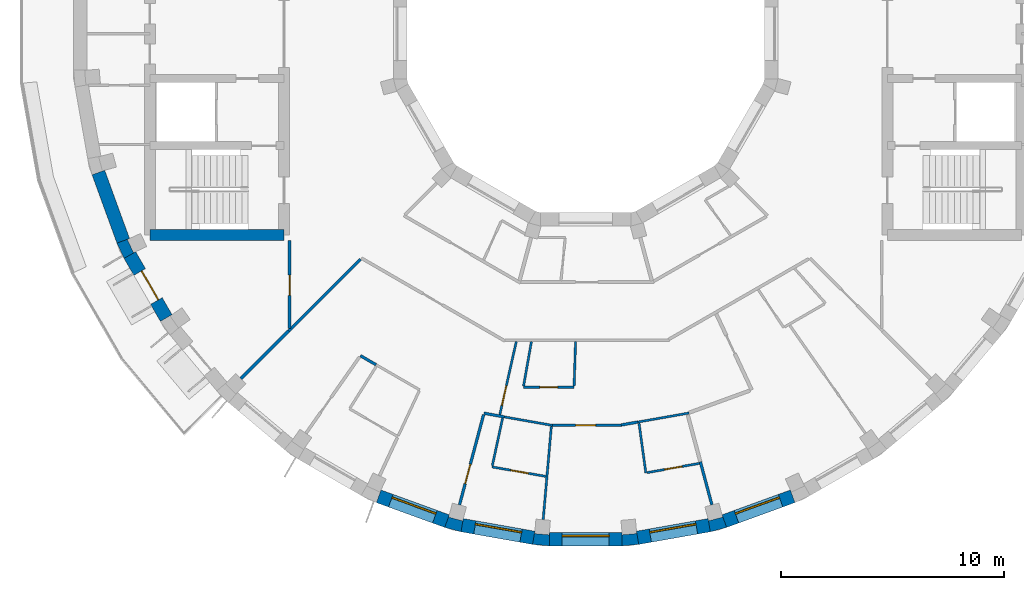
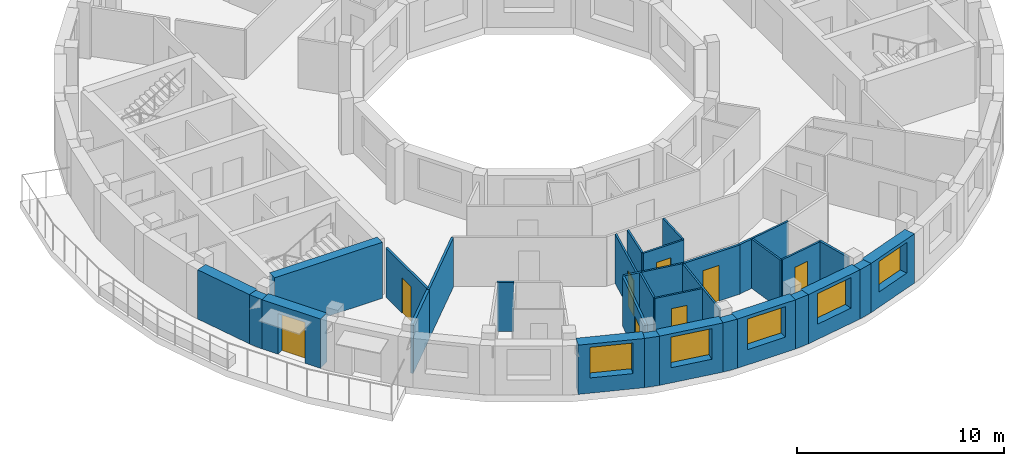
# One storey, part 2 of 10: 33 walls, 8 doors, 5 windows, 13 openings.
"""IFC4 building model written with IfcOpenShell, lengths in metres."""

from ifc_helpers import new_model, si_unit, direction, frame, frame_2d, origin, place, context, subcontext, project, spatial, polyline, rectangle, outline, extrude, material, layer, layer_set, type_object, element, fill, save


model = new_model("IFC4")

# Units and contexts
model_context = context("Model", 3, precision=1e-05, world=origin(), true_north=direction((0.0, 1.0)))
body_context = subcontext(model_context, "Body", "Model", "MODEL_VIEW")
ifc_project = project(units=[si_unit("LENGTHUNIT", "METRE"), si_unit("AREAUNIT", "SQUARE_METRE"), si_unit("VOLUMEUNIT", "CUBIC_METRE"), si_unit("PLANEANGLEUNIT", "RADIAN"), si_unit("MASSUNIT", "GRAM", prefix="KILO")], contexts=[model_context])

# Site, building, storey
site_placement = place(None, origin())
site = spatial("IfcSite", under=ifc_project, at=site_placement, CompositionType="ELEMENT")
building_placement = place(site_placement, origin())
building = spatial("IfcBuilding", under=site, at=building_placement, Name="Saqina Gate Tower", CompositionType="ELEMENT")
storey_placement = place(building_placement, frame((0.0, 0.0, 256.10009765625)))
storey = spatial("IfcBuildingStorey", under=building, at=storey_placement, Name="L73", CompositionType="ELEMENT", Elevation=256.10009765625)

# Walls
ifc_material_1 = material(Name="Brick masonry (buff)", Category="masonry")
wall_type_1 = type_object("IfcWallType", Name="BRICK PIER COPING BUFF", PredefinedType="SOLIDWALL", material=ifc_material_1)
wall_1_placement = place(storey_placement, origin())
element("IfcWall", 1, at=wall_1_placement, inside=storey, type_object=wall_type_1, Name="Pier cap L73 column 21", PredefinedType="SOLIDWALL", context=body_context, shape_type="SweptSolid", body=[
    extrude(outline(polyline([(-20.974609375, -9.3642578125), (-20.65576171875, -10.048095703125), (-20.135986328125, -9.748291015625), (-20.23193359375, -9.79296875), (-20.506591796875, -9.203857421875), (-20.410888671875, -9.1591796875), (-20.974609375, -9.3642578125)])), origin(), (0.0, 0.0, 1.0), 2.89990234375),
])
wall_2_placement = place(storey_placement, origin())
element("IfcWall", 2, at=wall_2_placement, inside=storey, type_object=wall_type_1, Name="Pier cap L73 column 26", PredefinedType="SOLIDWALL", context=body_context, shape_type="SweptSolid", body=[
    extrude(outline(polyline([(-5.579833984375, -22.281982421875), (-5.4755859375, -21.691162109375), (-5.5029296875, -21.793212890625), (-6.130859375, -21.625), (-6.103515625, -21.52294921875), (-6.30859375, -22.0869140625), (-5.579833984375, -22.281982421875)])), origin(), (0.0, 0.0, 1.0), 2.89990234375),
])
wall_3_placement = place(storey_placement, origin())
element("IfcWall", 3, at=wall_3_placement, inside=storey, type_object=wall_type_1, Name="Pier cap L73 column 27", PredefinedType="SOLIDWALL", context=body_context, shape_type="SweptSolid", body=[
    extrude(outline(polyline([(-2.377685546875, -22.8466796875), (-1.625732421875, -22.91259765625), (-1.625732421875, -22.3125), (-1.635009765625, -22.417724609375), (-2.28271484375, -22.361083984375), (-2.2734375, -22.255859375), (-2.377685546875, -22.8466796875)])), origin(), (0.0, 0.0, 1.0), 2.89990234375),
])
wall_4_placement = place(storey_placement, origin())
element("IfcWall", 4, at=wall_4_placement, inside=storey, type_object=wall_type_1, Name="Pier cap L73 column 28", PredefinedType="SOLIDWALL", context=body_context, shape_type="SweptSolid", body=[
    extrude(outline(polyline([(1.625732421875, -22.91259765625), (2.377685546875, -22.8466796875), (2.2734375, -22.255859375), (2.28271484375, -22.361083984375), (1.635009765625, -22.417724609375), (1.625732421875, -22.3125), (1.625732421875, -22.91259765625)])), origin(), (0.0, 0.0, 1.0), 2.89990234375),
])
wall_5_placement = place(storey_placement, origin())
element("IfcWall", 5, at=wall_5_placement, inside=storey, type_object=wall_type_1, Name="Pier cap L73 column 29", PredefinedType="SOLIDWALL", context=body_context, shape_type="SweptSolid", body=[
    extrude(outline(polyline([(6.30859375, -22.0869140625), (6.103515625, -21.52294921875), (6.130859375, -21.625), (5.5029296875, -21.793212890625), (5.4755859375, -21.691162109375), (5.579833984375, -22.281982421875), (6.30859375, -22.0869140625)])), origin(), (0.0, 0.0, 1.0), 2.89990234375),
])

# Wall, opening, door
ifc_material_2 = material(Name="Brick masonry (buff)", Category="masonry")
ifc_layer_1 = layer(ifc_material_2, 0.60009765625)
ifc_layer_set_1 = layer_set([ifc_layer_1], Name="FW-BRICK-BUFF")
wall_type_2 = type_object("IfcWallType", Name="FW-BRICK-BUFF", PredefinedType="SOLIDWALL", material=ifc_layer_set_1)
wall_6_placement = place(storey_placement, frame((-20.39599609375, -9.898193359375, 0.0), z_axis=(0.0, 0.0, 1.0), x_axis=(0.500014901547, -0.866016800201, 0.0)))
wall_6 = element("IfcWall", 6, at=wall_6_placement, inside=storey, type_object=wall_type_2, Name="Facade wall L73 facet 21", PredefinedType="SOLIDWALL", context=body_context, shape_type="SweptSolid", body=[
    extrude(rectangle(XDim=3.251953125, YDim=0.60009765625, at=frame_2d((1.6259765625, 0.0))), origin(), (0.0, 0.0, 1.0), 2.89990234375),
])
opening_1_placement = place(wall_6_placement, frame((0.875732421875, 0.0, 0.0)))
opening_1 = element("IfcOpeningElement", 7, at=opening_1_placement, cuts=wall_6, Name="Opening G21-D80", PredefinedType="OPENING", context=body_context, shape_type="SweptSolid", body=[
    extrude(rectangle(XDim=1.5, YDim=2.39990234375, at=frame_2d((0.75, 1.199951171875))), frame((0.0, 0.31201171875, 0.0), z_axis=(0.0, -1.0, 0.0), x_axis=(1.0, 0.0, 0.0)), (0.0, 0.0, 1.0), 0.6240234375),
])
ifc_material_3 = material(Name="Aluminium glazing", Category="aluminium")
door_type_1 = type_object("IfcDoorType", Name="GD-D", OperationType="DOUBLE_DOOR_SINGLE_SWING", PredefinedType="DOOR", material=ifc_material_3)
door_1_placement = place(opening_1_placement, frame((1.5, 0.0, 0.0), z_axis=(0.0, 0.0, 1.0), x_axis=(-1.0, 0.0, 0.0)))
door_1 = element("IfcDoor", 8, at=door_1_placement, inside=storey, type_object=door_type_1, Name="Terrace door L73 facet 21", OperationType="DOUBLE_DOOR_SINGLE_SWING", OverallHeight=2.39990234375, OverallWidth=1.5, PredefinedType="DOOR", context=body_context, shape_type="SweptSolid", body=[
    extrude(rectangle(XDim=1.5, YDim=2.39990234375, at=frame_2d((0.75, 1.199951171875))), frame((0.0, -0.0751953125, 0.0), z_axis=(0.0, -1.0, 0.0), x_axis=(1.0, 0.0, 0.0)), (0.0, 0.0, 1.0), 0.050048828125),
])
fill(opening_1, door_1)

# Wall, opening, window
wall_7_placement = place(storey_placement, frame((-9.26171875, -20.692626953125, 0.0), z_axis=(0.0, 0.0, 1.0), x_axis=(0.939679383794, -0.342056509473, 0.0)))
wall_7 = element("IfcWall", 9, at=wall_7_placement, inside=storey, type_object=wall_type_2, Name="Facade wall L73 facet 25", PredefinedType="SOLIDWALL", context=body_context, shape_type="SweptSolid", body=[
    extrude(rectangle(XDim=3.251708984375, YDim=0.60009765625, at=frame_2d((1.6259765625, 0.0))), origin(), (0.0, 0.0, 1.0), 2.89990234375),
])
opening_2_placement = place(wall_7_placement, frame((0.57568359375, 0.0, 0.89990234375)))
opening_2 = element("IfcOpeningElement", 10, at=opening_2_placement, cuts=wall_7, Name="Opening G21-W16", PredefinedType="OPENING", context=body_context, shape_type="SweptSolid", body=[
    extrude(rectangle(XDim=2.10009765625, YDim=1.800048828125, at=frame_2d((1.050048828125, 0.89990234375))), frame((0.0, 0.31201171875, 0.0), z_axis=(0.0, -1.0, 0.0), x_axis=(1.0, 0.0, 0.0)), (0.0, 0.0, 1.0), 0.6240234375),
])
ifc_material_4 = material(Name="Aluminium glazing", Category="aluminium")
window_type = type_object("IfcWindowType", Name="WN-D", PartitioningType="SINGLE_PANEL", PredefinedType="WINDOW", material=ifc_material_4)
window_1_placement = place(opening_2_placement, origin())
window_1 = element("IfcWindow", 11, at=window_1_placement, inside=storey, type_object=window_type, Name="Window L73 facet 25", OverallHeight=1.800048828125, OverallWidth=2.10009765625, PartitioningType="SINGLE_PANEL", PredefinedType="WINDOW", context=body_context, shape_type="SweptSolid", body=[
    extrude(rectangle(XDim=2.10009765625, YDim=1.800048828125, at=frame_2d((1.050048828125, 0.89990234375))), frame((0.0, 0.179931640625, 0.0), z_axis=(0.0, -1.0, 0.0), x_axis=(1.0, 0.0, 0.0)), (0.0, 0.0, 1.0), 0.06005859375),
])
fill(opening_2, window_1)

wall_8_placement = place(storey_placement, frame((-5.52783203125, -21.986572265625, 0.0), z_axis=(0.0, 0.0, 1.0), x_axis=(0.984806225186, -0.173656842178, 0.0)))
wall_8 = element("IfcWall", 12, at=wall_8_placement, inside=storey, type_object=wall_type_2, Name="Facade wall L73 facet 26", PredefinedType="SOLIDWALL", context=body_context, shape_type="SweptSolid", body=[
    extrude(rectangle(XDim=3.251708984375, YDim=0.60009765625, at=frame_2d((1.6259765625, 0.0))), origin(), (0.0, 0.0, 1.0), 2.89990234375),
])
opening_3_placement = place(wall_8_placement, frame((0.57568359375, 0.0, 0.89990234375)))
opening_3 = element("IfcOpeningElement", 13, at=opening_3_placement, cuts=wall_8, Name="Opening G21-W17", PredefinedType="OPENING", context=body_context, shape_type="SweptSolid", body=[
    extrude(rectangle(XDim=2.10009765625, YDim=1.800048828125, at=frame_2d((1.050048828125, 0.89990234375))), frame((0.0, 0.31201171875, 0.0), z_axis=(0.0, -1.0, 0.0), x_axis=(1.0, 0.0, 0.0)), (0.0, 0.0, 1.0), 0.6240234375),
])
window_2_placement = place(opening_3_placement, origin())
window_2 = element("IfcWindow", 14, at=window_2_placement, inside=storey, type_object=window_type, Name="Window L73 facet 26", OverallHeight=1.800048828125, OverallWidth=2.10009765625, PartitioningType="SINGLE_PANEL", PredefinedType="WINDOW", context=body_context, shape_type="SweptSolid", body=[
    extrude(rectangle(XDim=2.10009765625, YDim=1.800048828125, at=frame_2d((1.050048828125, 0.89990234375))), frame((0.0, 0.179931640625, 0.0), z_axis=(0.0, -1.0, 0.0), x_axis=(1.0, 0.0, 0.0)), (0.0, 0.0, 1.0), 0.06005859375),
])
fill(opening_3, window_2)

wall_9_placement = place(storey_placement, frame((-1.625732421875, -22.612548828125, 0.0), z_axis=(0.0, 0.0, 1.0), x_axis=(1.0, 0.0, 0.0)))
wall_9 = element("IfcWall", 15, at=wall_9_placement, inside=storey, type_object=wall_type_2, Name="Facade wall L73 facet 27", PredefinedType="SOLIDWALL", context=body_context, shape_type="SweptSolid", body=[
    extrude(rectangle(XDim=3.25146484375, YDim=0.60009765625, at=frame_2d((1.625732421875, 0.0))), origin(), (0.0, 0.0, 1.0), 2.89990234375),
])
opening_4_placement = place(wall_9_placement, frame((0.57568359375, 0.0, 0.89990234375)))
opening_4 = element("IfcOpeningElement", 16, at=opening_4_placement, cuts=wall_9, Name="Opening G21-W18", PredefinedType="OPENING", context=body_context, shape_type="SweptSolid", body=[
    extrude(rectangle(XDim=2.10009765625, YDim=1.800048828125, at=frame_2d((1.050048828125, 0.89990234375))), frame((0.0, 0.31201171875, 0.0), z_axis=(0.0, -1.0, 0.0), x_axis=(1.0, 0.0, 0.0)), (0.0, 0.0, 1.0), 0.6240234375),
])
window_3_placement = place(opening_4_placement, origin())
window_3 = element("IfcWindow", 17, at=window_3_placement, inside=storey, type_object=window_type, Name="Window L73 facet 27", OverallHeight=1.800048828125, OverallWidth=2.10009765625, PartitioningType="SINGLE_PANEL", PredefinedType="WINDOW", context=body_context, shape_type="SweptSolid", body=[
    extrude(rectangle(XDim=2.10009765625, YDim=1.800048828125, at=frame_2d((1.050048828125, 0.89990234375))), frame((0.0, 0.179931640625, 0.0), z_axis=(0.0, -1.0, 0.0), x_axis=(1.0, 0.0, 0.0)), (0.0, 0.0, 1.0), 0.06005859375),
])
fill(opening_4, window_3)

wall_10_placement = place(storey_placement, frame((2.325439453125, -22.55126953125, 0.0), z_axis=(0.0, 0.0, 1.0), x_axis=(0.984806225186, 0.173656842178, 0.0)))
wall_10 = element("IfcWall", 18, at=wall_10_placement, inside=storey, type_object=wall_type_2, Name="Facade wall L73 facet 28", PredefinedType="SOLIDWALL", context=body_context, shape_type="SweptSolid", body=[
    extrude(rectangle(XDim=3.251708984375, YDim=0.60009765625, at=frame_2d((1.6259765625, 0.0))), origin(), (0.0, 0.0, 1.0), 2.89990234375),
])
opening_5_placement = place(wall_10_placement, frame((0.57568359375, 0.0, 0.89990234375)))
opening_5 = element("IfcOpeningElement", 19, at=opening_5_placement, cuts=wall_10, Name="Opening G21-W19", PredefinedType="OPENING", context=body_context, shape_type="SweptSolid", body=[
    extrude(rectangle(XDim=2.10009765625, YDim=1.800048828125, at=frame_2d((1.050048828125, 0.89990234375))), frame((0.0, 0.31201171875, 0.0), z_axis=(0.0, -1.0, 0.0), x_axis=(1.0, 0.0, 0.0)), (0.0, 0.0, 1.0), 0.6240234375),
])
window_4_placement = place(opening_5_placement, origin())
window_4 = element("IfcWindow", 20, at=window_4_placement, inside=storey, type_object=window_type, Name="Window L73 facet 28", OverallHeight=1.800048828125, OverallWidth=2.10009765625, PartitioningType="SINGLE_PANEL", PredefinedType="WINDOW", context=body_context, shape_type="SweptSolid", body=[
    extrude(rectangle(XDim=2.10009765625, YDim=1.800048828125, at=frame_2d((1.050048828125, 0.89990234375))), frame((0.0, 0.179931640625, 0.0), z_axis=(0.0, -1.0, 0.0), x_axis=(1.0, 0.0, 0.0)), (0.0, 0.0, 1.0), 0.06005859375),
])
fill(opening_5, window_4)

wall_11_placement = place(storey_placement, frame((6.2060546875, -21.804931640625, 0.0), z_axis=(0.0, 0.0, 1.0), x_axis=(0.939679383794, 0.342056509473, 0.0)))
wall_11 = element("IfcWall", 21, at=wall_11_placement, inside=storey, type_object=wall_type_2, Name="Facade wall L73 facet 29", PredefinedType="SOLIDWALL", context=body_context, shape_type="SweptSolid", body=[
    extrude(rectangle(XDim=3.251708984375, YDim=0.60009765625, at=frame_2d((1.6259765625, 0.0))), origin(), (0.0, 0.0, 1.0), 2.89990234375),
])
opening_6_placement = place(wall_11_placement, frame((0.57568359375, 0.0, 0.89990234375)))
opening_6 = element("IfcOpeningElement", 22, at=opening_6_placement, cuts=wall_11, Name="Opening G21-W20", PredefinedType="OPENING", context=body_context, shape_type="SweptSolid", body=[
    extrude(rectangle(XDim=2.10009765625, YDim=1.800048828125, at=frame_2d((1.050048828125, 0.89990234375))), frame((0.0, 0.31201171875, 0.0), z_axis=(0.0, -1.0, 0.0), x_axis=(1.0, 0.0, 0.0)), (0.0, 0.0, 1.0), 0.6240234375),
])
window_5_placement = place(opening_6_placement, origin())
window_5 = element("IfcWindow", 23, at=window_5_placement, inside=storey, type_object=window_type, Name="Window L73 facet 29", OverallHeight=1.800048828125, OverallWidth=2.10009765625, PartitioningType="SINGLE_PANEL", PredefinedType="WINDOW", context=body_context, shape_type="SweptSolid", body=[
    extrude(rectangle(XDim=2.10009765625, YDim=1.800048828125, at=frame_2d((1.050048828125, 0.89990234375))), frame((0.0, 0.179931640625, 0.0), z_axis=(0.0, -1.0, 0.0), x_axis=(1.0, 0.0, 0.0)), (0.0, 0.0, 1.0), 0.06005859375),
])
fill(opening_6, window_5)

# Walls
ifc_material_5 = material(Name="Glazed ceramic tile", Category="ceramic")
ifc_layer_2 = layer(ifc_material_5, 0.60009765625)
ifc_layer_set_2 = layer_set([ifc_layer_2], Name="FW-TILE")
wall_type_3 = type_object("IfcWallType", Name="FW-TILE", PredefinedType="SOLIDWALL", material=ifc_layer_set_2)
wall_12_placement = place(storey_placement, frame((-21.804931640625, -6.2060546875, 0.0), z_axis=(0.0, 0.0, 1.0), x_axis=(0.342056509473, -0.939679383794, 0.0)))
element("IfcWall", 24, at=wall_12_placement, inside=storey, type_object=wall_type_3, Name="Facade wall L73 facet 20", PredefinedType="SOLIDWALL", context=body_context, shape_type="SweptSolid", body=[
    extrude(rectangle(XDim=3.251708984375, YDim=0.60009765625, at=frame_2d((1.6259765625, 0.0))), origin(), (0.0, 0.0, 1.0), 2.89990234375),
])
ifc_material_6 = material(Name="Gypsum board on steel studs, 100 mm", Category="steel")
ifc_layer_3 = layer(ifc_material_6, 0.10009765625)
ifc_layer_set_3 = layer_set([ifc_layer_3], Name="PARTITION 100")
wall_type_4 = type_object("IfcWallType", Name="PARTITION 100", PredefinedType="PARTITIONING", material=ifc_layer_set_3)
wall_13_placement = place(storey_placement, frame((2.387451171875, -17.425048828125, 0.0), z_axis=(0.0, 0.0, 1.0), x_axis=(0.136139445073, -0.990689684763, 0.0)))
element("IfcWall", 25, at=wall_13_placement, inside=storey, type_object=wall_type_4, Name="PARTITION PW3-02", PredefinedType="PARTITIONING", context=body_context, shape_type="SweptSolid", body=[
    extrude(rectangle(XDim=2.23974609375, YDim=0.10009765625, at=frame_2d((1.119873046875, 0.0))), origin(), (0.0, 0.0, 1.0), 2.89990234375),
])

# Wall, opening, door
wall_14_placement = place(storey_placement, frame((-4.18896484375, -19.37890625, 0.0), z_axis=(0.0, 0.0, 1.0), x_axis=(0.98481170555, -0.17362576022, 0.0)))
wall_14 = element("IfcWall", 26, at=wall_14_placement, inside=storey, type_object=wall_type_4, Name="PARTITION PW3-20", PredefinedType="PARTITIONING", context=body_context, shape_type="SweptSolid", body=[
    extrude(rectangle(XDim=2.44384765625, YDim=0.10009765625, at=frame_2d((1.221923828125, 0.0))), origin(), (0.0, 0.0, 1.0), 2.89990234375),
])
opening_7_placement = place(wall_14_placement, frame((0.846923828125, 0.0, 0.0)))
opening_7 = element("IfcOpeningElement", 27, at=opening_7_placement, cuts=wall_14, Name="Opening G21-D31", PredefinedType="OPENING", context=body_context, shape_type="SweptSolid", body=[
    extrude(rectangle(XDim=0.800048828125, YDim=2.10009765625, at=frame_2d((0.39990234375, 1.050048828125))), frame((0.0, 0.06201171875, 0.0), z_axis=(0.0, -1.0, 0.0), x_axis=(1.0, 0.0, 0.0)), (0.0, 0.0, 1.0), 0.1240234375),
])
ifc_material_7 = material(Name="Timber door leaf, 800 mm", Category="wood")
door_type_2 = type_object("IfcDoorType", Name="DOOR 800 TIMBER", OperationType="SINGLE_SWING_LEFT", PredefinedType="DOOR", material=ifc_material_7)
door_2_placement = place(opening_7_placement, frame((0.800048828125, 0.0, 0.0), z_axis=(0.0, 0.0, 1.0), x_axis=(-1.0, 0.0, 0.0)))
door_2 = element("IfcDoor", 28, at=door_2_placement, inside=storey, type_object=door_type_2, Name="DOOR G21-D31", OperationType="SINGLE_SWING_LEFT", OverallHeight=2.10009765625, OverallWidth=0.800048828125, PredefinedType="DOOR", context=body_context, shape_type="SweptSolid", body=[
    extrude(rectangle(XDim=0.800048828125, YDim=2.10009765625, at=frame_2d((0.39990234375, 1.050048828125))), frame((0.0, 0.02490234375, 0.0), z_axis=(0.0, -1.0, 0.0), x_axis=(1.0, 0.0, 0.0)), (0.0, 0.0, 1.0), 0.050048828125),
])
fill(opening_7, door_2)

# Wall
wall_15_placement = place(storey_placement, frame((-3.641357421875, -17.140869140625, 0.0), z_axis=(0.0, 0.0, 1.0), x_axis=(0.984870828908, -0.173290075784, 0.0)))
element("IfcWall", 29, at=wall_15_placement, inside=storey, type_object=wall_type_4, Name="PARTITION PW3-21", PredefinedType="PARTITIONING", context=body_context, shape_type="SweptSolid", body=[
    extrude(rectangle(XDim=2.193603515625, YDim=0.10009765625, at=frame_2d((1.0966796875, 0.0))), origin(), (0.0, 0.0, 1.0), 2.89990234375),
])

# Wall, opening, door
wall_16_placement = place(storey_placement, frame((-2.7880859375, -15.81005859375, 0.0), z_axis=(0.0, 0.0, 1.0), x_axis=(1.0, 0.0, 0.0)))
wall_16 = element("IfcWall", 30, at=wall_16_placement, inside=storey, type_object=wall_type_4, Name="PARTITION PW3-24", PredefinedType="PARTITIONING", context=body_context, shape_type="SweptSolid", body=[
    extrude(rectangle(XDim=2.26904296875, YDim=0.10009765625, at=frame_2d((1.134521484375, 0.0))), origin(), (0.0, 0.0, 1.0), 2.89990234375),
])
opening_8_placement = place(wall_16_placement, frame((0.734619140625, 0.0, 0.0)))
opening_8 = element("IfcOpeningElement", 31, at=opening_8_placement, cuts=wall_16, Name="Opening G21-D32", PredefinedType="OPENING", context=body_context, shape_type="SweptSolid", body=[
    extrude(rectangle(XDim=0.800048828125, YDim=2.10009765625, at=frame_2d((0.39990234375, 1.050048828125))), frame((0.0, 0.06201171875, 0.0), z_axis=(0.0, -1.0, 0.0), x_axis=(1.0, 0.0, 0.0)), (0.0, 0.0, 1.0), 0.1240234375),
])
door_3_placement = place(opening_8_placement, frame((0.800048828125, 0.0, 0.0), z_axis=(0.0, 0.0, 1.0), x_axis=(-1.0, 0.0, 0.0)))
door_3 = element("IfcDoor", 32, at=door_3_placement, inside=storey, type_object=door_type_2, Name="DOOR G21-D32", OperationType="SINGLE_SWING_LEFT", OverallHeight=2.10009765625, OverallWidth=0.800048828125, PredefinedType="DOOR", context=body_context, shape_type="SweptSolid", body=[
    extrude(rectangle(XDim=0.800048828125, YDim=2.10009765625, at=frame_2d((0.39990234375, 1.050048828125))), frame((0.0, 0.02490234375, 0.0), z_axis=(0.0, -1.0, 0.0), x_axis=(1.0, 0.0, 0.0)), (0.0, 0.0, 1.0), 0.050048828125),
])
fill(opening_8, door_3)

wall_17_placement = place(storey_placement, frame((2.7421875, -19.635009765625, 0.0), z_axis=(0.0, 0.0, 1.0), x_axis=(0.984744284457, 0.174007741867, 0.0)))
wall_17 = element("IfcWall", 33, at=wall_17_placement, inside=storey, type_object=wall_type_4, Name="PARTITION PW3-28", PredefinedType="PARTITIONING", context=body_context, shape_type="SweptSolid", body=[
    extrude(rectangle(XDim=2.379638671875, YDim=0.10009765625, at=frame_2d((1.18994140625, 0.0))), origin(), (0.0, 0.0, 1.0), 2.89990234375),
])
opening_9_placement = place(wall_17_placement, frame((0.79638671875, 0.0, 0.0)))
opening_9 = element("IfcOpeningElement", 34, at=opening_9_placement, cuts=wall_17, Name="Opening G21-D36", PredefinedType="OPENING", context=body_context, shape_type="SweptSolid", body=[
    extrude(rectangle(XDim=0.800048828125, YDim=2.10009765625, at=frame_2d((0.39990234375, 1.050048828125))), frame((0.0, 0.06201171875, 0.0), z_axis=(0.0, -1.0, 0.0), x_axis=(1.0, 0.0, 0.0)), (0.0, 0.0, 1.0), 0.1240234375),
])
door_4_placement = place(opening_9_placement, frame((0.800048828125, 0.0, 0.0), z_axis=(0.0, 0.0, 1.0), x_axis=(-1.0, 0.0, 0.0)))
door_4 = element("IfcDoor", 35, at=door_4_placement, inside=storey, type_object=door_type_2, Name="DOOR G21-D36", OperationType="SINGLE_SWING_LEFT", OverallHeight=2.10009765625, OverallWidth=0.800048828125, PredefinedType="DOOR", context=body_context, shape_type="SweptSolid", body=[
    extrude(rectangle(XDim=0.800048828125, YDim=2.10009765625, at=frame_2d((0.39990234375, 1.050048828125))), frame((0.0, 0.02490234375, 0.0), z_axis=(0.0, -1.0, 0.0), x_axis=(1.0, 0.0, 0.0)), (0.0, 0.0, 1.0), 0.050048828125),
])
fill(opening_9, door_4)

# Wall
wall_18_placement = place(storey_placement, frame((2.329833984375, -17.37158203125, 0.0), z_axis=(0.0, 0.0, 1.0), x_axis=(0.984801481442, 0.173683741754, 0.0)))
element("IfcWall", 36, at=wall_18_placement, inside=storey, type_object=wall_type_4, Name="PARTITION PW3-29", PredefinedType="PARTITIONING", context=body_context, shape_type="SweptSolid", body=[
    extrude(rectangle(XDim=2.33056640625, YDim=0.10009765625, at=frame_2d((1.165283203125, 0.0))), origin(), (0.0, 0.0, 1.0), 2.89990234375),
])

# Wall, opening, door
wall_19_placement = place(storey_placement, frame((-3.84228515625, -17.0419921875, 0.0), z_axis=(0.0, 0.0, 1.0), x_axis=(0.219959167762, 0.975509079669, 0.0)))
wall_19 = element("IfcWall", 37, at=wall_19_placement, inside=storey, type_object=wall_type_4, Name="PARTITION PW3-44", PredefinedType="PARTITIONING", context=body_context, shape_type="SweptSolid", body=[
    extrude(rectangle(XDim=3.35302734375, YDim=0.10009765625, at=frame_2d((1.676513671875, 0.0))), origin(), (0.0, 0.0, 1.0), 2.89990234375),
])
opening_10_placement = place(wall_19_placement, frame((0.427001953125, 0.0, 0.0)))
opening_10 = element("IfcOpeningElement", 38, at=opening_10_placement, cuts=wall_19, Name="Opening G21-D30", PredefinedType="OPENING", context=body_context, shape_type="SweptSolid", body=[
    extrude(rectangle(XDim=0.89990234375, YDim=2.10009765625, at=frame_2d((0.449951171875, 1.050048828125))), frame((0.0, 0.06201171875, 0.0), z_axis=(0.0, -1.0, 0.0), x_axis=(1.0, 0.0, 0.0)), (0.0, 0.0, 1.0), 0.1240234375),
])
ifc_material_8 = material(Name="Timber door leaf, 900 mm", Category="wood")
door_type_3 = type_object("IfcDoorType", Name="DOOR 900 TIMBER", OperationType="SINGLE_SWING_LEFT", PredefinedType="DOOR", material=ifc_material_8)
door_5_placement = place(opening_10_placement, origin())
door_5 = element("IfcDoor", 39, at=door_5_placement, inside=storey, type_object=door_type_3, Name="DOOR G21-D30", OperationType="SINGLE_SWING_LEFT", OverallHeight=2.10009765625, OverallWidth=0.89990234375, PredefinedType="DOOR", context=body_context, shape_type="SweptSolid", body=[
    extrude(rectangle(XDim=0.89990234375, YDim=2.10009765625, at=frame_2d((0.449951171875, 1.050048828125))), frame((0.0, 0.02490234375, 0.0), z_axis=(0.0, -1.0, 0.0), x_axis=(1.0, 0.0, 0.0)), (0.0, 0.0, 1.0), 0.050048828125),
])
fill(opening_10, door_5)

# Walls
wall_20_placement = place(storey_placement, frame((-4.178466796875, -19.330078125, 0.0), z_axis=(0.0, 0.0, 1.0), x_axis=(0.211197399018, 0.977443429897, 0.0)))
element("IfcWall", 40, at=wall_20_placement, inside=storey, type_object=wall_type_4, Name="PARTITION PW3-45", PredefinedType="PARTITIONING", context=body_context, shape_type="SweptSolid", body=[
    extrude(rectangle(XDim=2.188232421875, YDim=0.10009765625, at=frame_2d((1.09423828125, 0.0))), origin(), (0.0, 0.0, 1.0), 2.89990234375),
])
wall_21_placement = place(storey_placement, frame((-2.779296875, -15.7607421875, 0.0), z_axis=(0.0, 0.0, 1.0), x_axis=(0.173916330722, 0.984760432749, 0.0)))
element("IfcWall", 41, at=wall_21_placement, inside=storey, type_object=wall_type_4, Name="PARTITION PW3-47", PredefinedType="PARTITIONING", context=body_context, shape_type="SweptSolid", body=[
    extrude(rectangle(XDim=2.02001953125, YDim=0.10009765625, at=frame_2d((1.010009765625, 0.0))), origin(), (0.0, 0.0, 1.0), 2.89990234375),
])
wall_22_placement = place(storey_placement, frame((-1.90087890625, -21.73193359375, 0.0), z_axis=(0.0, 0.0, 1.0), x_axis=(0.087101641285, 0.996199429876, 0.0)))
element("IfcWall", 42, at=wall_22_placement, inside=storey, type_object=wall_type_4, Name="PARTITION PW3-49", PredefinedType="PARTITIONING", context=body_context, shape_type="SweptSolid", body=[
    extrude(rectangle(XDim=4.173583984375, YDim=0.10009765625, at=frame_2d((2.0869140625, 0.0))), origin(), (0.0, 0.0, 1.0), 2.89990234375),
])
wall_23_placement = place(storey_placement, frame((-0.517333984375, -15.760009765625, 0.0), z_axis=(0.0, 0.0, 1.0), x_axis=(0.032779329048, 0.999462613401, 0.0)))
element("IfcWall", 43, at=wall_23_placement, inside=storey, type_object=wall_type_4, Name="PARTITION PW3-51", PredefinedType="PARTITIONING", context=body_context, shape_type="SweptSolid", body=[
    extrude(rectangle(XDim=1.988525390625, YDim=0.10009765625, at=frame_2d((0.994140625, 0.0))), origin(), (0.0, 0.0, 1.0), 2.89990234375),
])
ifc_material_9 = material(Name="Gypsum board on steel studs, 125 mm, fire rated", Category="steel")
ifc_layer_4 = layer(ifc_material_9, 0.125)
ifc_layer_set_4 = layer_set([ifc_layer_4], Name="PARTITION EI 30 125")
wall_type_5 = type_object("IfcWallType", Name="PARTITION EI 30 125", PredefinedType="PARTITIONING", material=ifc_layer_set_4)
wall_24_placement = place(storey_placement, frame((5.131591796875, -19.1494140625, 0.0), z_axis=(0.0, 0.0, 1.0), x_axis=(0.259128566087, -0.965842837235, 0.0)))
element("IfcWall", 44, at=wall_24_placement, inside=storey, type_object=wall_type_5, Name="PARTITION PW1-02", PredefinedType="PARTITIONING", context=body_context, shape_type="SweptSolid", body=[
    extrude(rectangle(XDim=1.98974609375, YDim=0.125, at=frame_2d((0.994873046875, 0.0))), origin(), (0.0, 0.0, 1.0), 2.89990234375),
])
wall_25_placement = place(storey_placement, frame((-10.081298828125, -14.40087890625, 0.0), z_axis=(0.0, 0.0, 1.0), x_axis=(0.866059832176, -0.499940363534, 0.0)))
element("IfcWall", 45, at=wall_25_placement, inside=storey, type_object=wall_type_5, Name="PARTITION PW1-08", PredefinedType="PARTITIONING", context=body_context, shape_type="SweptSolid", body=[
    extrude(rectangle(XDim=0.80810546875, YDim=0.125, at=frame_2d((0.404052734375, 0.0))), origin(), (0.0, 0.0, 1.0), 2.89990234375),
])
wall_26_placement = place(storey_placement, frame((-4.54833984375, -16.976318359375, 0.0), z_axis=(0.0, 0.0, 1.0), x_axis=(0.983882623383, -0.178815501019, 0.0)))
element("IfcWall", 46, at=wall_26_placement, inside=storey, type_object=wall_type_5, Name="PARTITION PW1-14", PredefinedType="PARTITIONING", context=body_context, shape_type="SweptSolid", body=[
    extrude(rectangle(XDim=0.921630859375, YDim=0.125, at=frame_2d((0.4609375, 0.0))), origin(), (0.0, 0.0, 1.0), 2.89990234375),
])

# Wall, opening, door
wall_27_placement = place(storey_placement, frame((-1.48095703125, -17.511962890625, 0.0), z_axis=(0.0, 0.0, 1.0), x_axis=(1.0, 0.0, 0.0)))
wall_27 = element("IfcWall", 47, at=wall_27_placement, inside=storey, type_object=wall_type_5, Name="PARTITION PW1-16", PredefinedType="PARTITIONING", context=body_context, shape_type="SweptSolid", body=[
    extrude(rectangle(XDim=3.076416015625, YDim=0.125, at=frame_2d((1.5380859375, 0.0))), origin(), (0.0, 0.0, 1.0), 2.89990234375),
])
opening_11_placement = place(wall_27_placement, frame((1.031494140625, 0.0, 0.0)))
opening_11 = element("IfcOpeningElement", 48, at=opening_11_placement, cuts=wall_27, Name="Opening G21-D34", PredefinedType="OPENING", context=body_context, shape_type="SweptSolid", body=[
    extrude(rectangle(XDim=0.89990234375, YDim=2.10009765625, at=frame_2d((0.449951171875, 1.050048828125))), frame((0.0, 0.074462890625, 0.0), z_axis=(0.0, -1.0, 0.0), x_axis=(1.0, 0.0, 0.0)), (0.0, 0.0, 1.0), 0.14892578125),
])
ifc_material_10 = material(Name="Fire door leaf EI 30, 900 mm")
door_type_4 = type_object("IfcDoorType", Name="DOOR 900 EI 30", OperationType="SINGLE_SWING_LEFT", PredefinedType="DOOR", material=ifc_material_10)
door_6_placement = place(opening_11_placement, origin())
door_6 = element("IfcDoor", 49, at=door_6_placement, inside=storey, type_object=door_type_4, Name="DOOR G21-D34", OperationType="SINGLE_SWING_LEFT", OverallHeight=2.10009765625, OverallWidth=0.89990234375, PredefinedType="DOOR", context=body_context, shape_type="SweptSolid", body=[
    extrude(rectangle(XDim=0.89990234375, YDim=2.10009765625, at=frame_2d((0.449951171875, 1.050048828125))), frame((0.0, 0.02490234375, 0.0), z_axis=(0.0, -1.0, 0.0), x_axis=(1.0, 0.0, 0.0)), (0.0, 0.0, 1.0), 0.050048828125),
])
fill(opening_11, door_6)

# Walls
wall_28_placement = place(storey_placement, frame((1.593505859375, -17.501220703125, 0.0), z_axis=(0.0, 0.0, 1.0), x_axis=(0.984852515296, 0.173394126532, 0.0)))
element("IfcWall", 50, at=wall_28_placement, inside=storey, type_object=wall_type_5, Name="PARTITION PW1-21", PredefinedType="PARTITIONING", context=body_context, shape_type="SweptSolid", body=[
    extrude(rectangle(XDim=0.74755859375, YDim=0.125, at=frame_2d((0.373779296875, 0.0))), origin(), (0.0, 0.0, 1.0), 2.89990234375),
])
wall_29_placement = place(storey_placement, frame((-13.294189453125, -13.294189453125, 0.0), z_axis=(0.0, 0.0, 1.0), x_axis=(0.707106781187, 0.707106781187, 0.0)))
element("IfcWall", 51, at=wall_29_placement, inside=storey, type_object=wall_type_5, Name="PARTITION PW1-27", PredefinedType="PARTITIONING", context=body_context, shape_type="SweptSolid", body=[
    extrude(rectangle(XDim=4.54541015625, YDim=0.125, at=frame_2d((2.272705078125, 0.0))), origin(), (0.0, 0.0, 1.0), 2.89990234375),
])

# Wall, opening, door
wall_30_placement = place(storey_placement, frame((-5.64453125, -21.072021484375, 0.0), z_axis=(0.0, 0.0, 1.0), x_axis=(0.258154150775, 0.966103738963, 0.0)))
wall_30 = element("IfcWall", 52, at=wall_30_placement, inside=storey, type_object=wall_type_5, Name="PARTITION PW1-35", PredefinedType="PARTITIONING", context=body_context, shape_type="SweptSolid", body=[
    extrude(rectangle(XDim=4.17333984375, YDim=0.125, at=frame_2d((2.086669921875, 0.0))), origin(), (0.0, 0.0, 1.0), 2.89990234375),
])
opening_12_placement = place(wall_30_placement, frame((0.976806640625, 0.0, 0.0)))
opening_12 = element("IfcOpeningElement", 53, at=opening_12_placement, cuts=wall_30, Name="Opening G21-D29", PredefinedType="OPENING", context=body_context, shape_type="SweptSolid", body=[
    extrude(rectangle(XDim=0.89990234375, YDim=2.10009765625, at=frame_2d((0.449951171875, 1.050048828125))), frame((0.0, 0.074462890625, 0.0), z_axis=(0.0, -1.0, 0.0), x_axis=(1.0, 0.0, 0.0)), (0.0, 0.0, 1.0), 0.14892578125),
])
door_7_placement = place(opening_12_placement, origin())
door_7 = element("IfcDoor", 54, at=door_7_placement, inside=storey, type_object=door_type_4, Name="DOOR G21-D29", OperationType="SINGLE_SWING_LEFT", OverallHeight=2.10009765625, OverallWidth=0.89990234375, PredefinedType="DOOR", context=body_context, shape_type="SweptSolid", body=[
    extrude(rectangle(XDim=0.89990234375, YDim=2.10009765625, at=frame_2d((0.449951171875, 1.050048828125))), frame((0.0, 0.02490234375, 0.0), z_axis=(0.0, -1.0, 0.0), x_axis=(1.0, 0.0, 0.0)), (0.0, 0.0, 1.0), 0.050048828125),
])
fill(opening_12, door_7)

wall_31_placement = place(storey_placement, frame((-13.25, -13.175048828125, 0.0), z_axis=(0.0, 0.0, 1.0), x_axis=(0.0, 1.0, 0.0)))
wall_31 = element("IfcWall", 55, at=wall_31_placement, inside=storey, type_object=wall_type_5, Name="PARTITION PW1-40", PredefinedType="PARTITIONING", context=body_context, shape_type="SweptSolid", body=[
    extrude(rectangle(XDim=3.925048828125, YDim=0.125, at=frame_2d((1.96240234375, 0.0))), origin(), (0.0, 0.0, 1.0), 2.89990234375),
])
opening_13_placement = place(wall_31_placement, frame((1.47509765625, 0.0, 0.0)))
opening_13 = element("IfcOpeningElement", 56, at=opening_13_placement, cuts=wall_31, Name="Opening G21-D23", PredefinedType="OPENING", context=body_context, shape_type="SweptSolid", body=[
    extrude(rectangle(XDim=0.89990234375, YDim=2.10009765625, at=frame_2d((0.449951171875, 1.050048828125))), frame((0.0, 0.074462890625, 0.0), z_axis=(0.0, -1.0, 0.0), x_axis=(1.0, 0.0, 0.0)), (0.0, 0.0, 1.0), 0.14892578125),
])
door_8_placement = place(opening_13_placement, origin())
door_8 = element("IfcDoor", 57, at=door_8_placement, inside=storey, type_object=door_type_4, Name="DOOR G21-D23", OperationType="SINGLE_SWING_LEFT", OverallHeight=2.10009765625, OverallWidth=0.89990234375, PredefinedType="DOOR", context=body_context, shape_type="SweptSolid", body=[
    extrude(rectangle(XDim=0.89990234375, YDim=2.10009765625, at=frame_2d((0.449951171875, 1.050048828125))), frame((0.0, 0.02490234375, 0.0), z_axis=(0.0, -1.0, 0.0), x_axis=(1.0, 0.0, 0.0)), (0.0, 0.0, 1.0), 0.050048828125),
])
fill(opening_13, door_8)

# Walls
ifc_material_11 = material(Name="Gypsum board on steel studs, 150 mm, fire rated", Category="steel")
ifc_layer_5 = layer(ifc_material_11, 0.14990234375)
ifc_layer_set_5 = layer_set([ifc_layer_5], Name="PARTITION EI 60 150")
wall_type_6 = type_object("IfcWallType", Name="PARTITION EI 60 150", PredefinedType="PARTITIONING", material=ifc_layer_set_5)
wall_32_placement = place(storey_placement, frame((-15.425537109375, -15.425537109375, 0.0), z_axis=(0.0, 0.0, 1.0), x_axis=(0.707106781187, 0.707106781187, 0.0)))
element("IfcWall", 58, at=wall_32_placement, inside=storey, type_object=wall_type_6, Name="PARTITION PW2-08", PredefinedType="PARTITIONING", context=body_context, shape_type="SweptSolid", body=[
    extrude(rectangle(XDim=3.01416015625, YDim=0.14990234375, at=frame_2d((1.507080078125, 0.0))), origin(), (0.0, 0.0, 1.0), 2.89990234375),
])
ifc_material_12 = material(Name="Concrete C60/75", Category="concrete")
ifc_layer_6 = layer(ifc_material_12, 0.5)
ifc_layer_set_6 = layer_set([ifc_layer_6], Name="Concrete C60/75")
wall_type_7 = type_object("IfcWallType", Name="STR-CORE WALL-D-O", PredefinedType="SHEAR", material=ifc_layer_set_6)
wall_33_placement = place(storey_placement, frame((-13.5, -9.0, 0.0), z_axis=(0.0, 0.0, 1.0), x_axis=(-1.0, 0.0, 0.0)))
element("IfcWall", 59, at=wall_33_placement, inside=storey, type_object=wall_type_7, Name="CORE WALL L73 W-SE", PredefinedType="SHEAR", context=body_context, shape_type="SweptSolid", body=[
    extrude(rectangle(XDim=6.0, YDim=0.5, at=frame_2d((3.0, 0.0))), origin(), (0.0, 0.0, 1.0), 3.2998046875),
])

save(model, "model.ifc")
